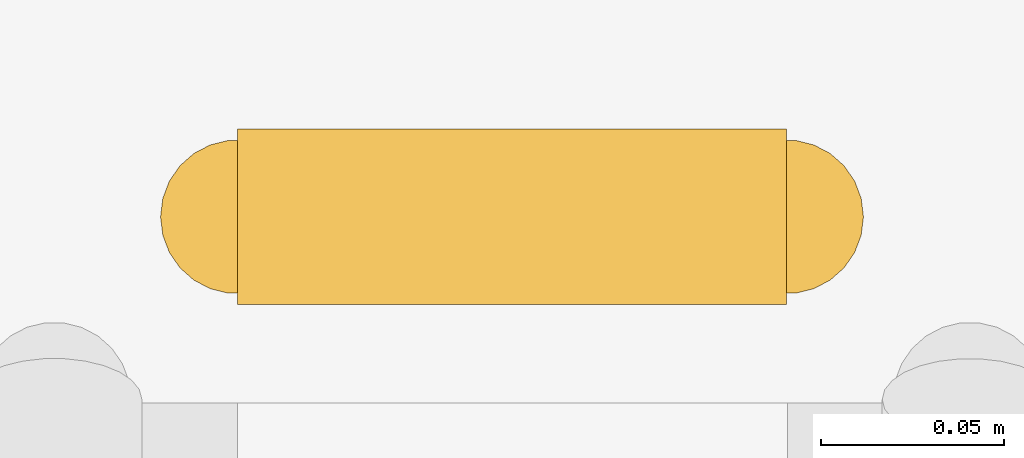
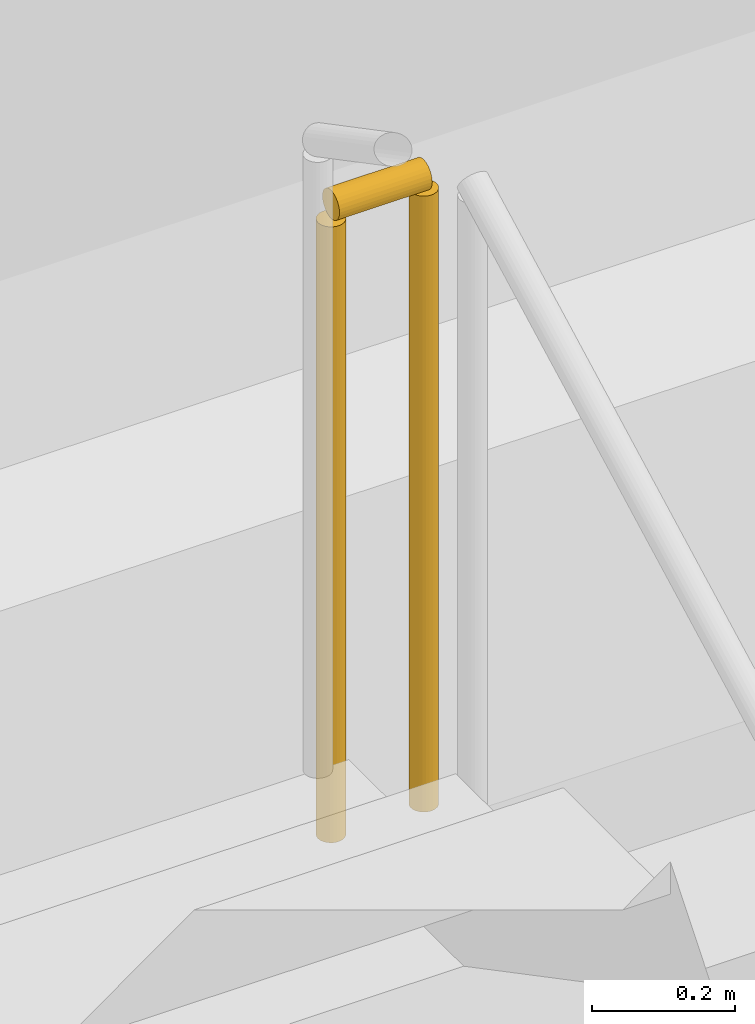
# One storey, part 164 of 198: 1 railing.
"""IFC4 building model written with IfcOpenShell, lengths in metres."""

from ifc_helpers import new_model, si_unit, direction, frame, origin, origin_2d, place, context, subcontext, project, spatial, circle, extrude, material, constituent, constituent_set, type_object, element, save


model = new_model("IFC4")

# Units and contexts
model_context = context("Model", 3, precision=1e-05, world=origin(), true_north=direction((0.0, 1.0)))
body_context = subcontext(model_context, "Body", "Model", "MODEL_VIEW")
ifc_project = project(units=[si_unit("LENGTHUNIT", "METRE"), si_unit("AREAUNIT", "SQUARE_METRE"), si_unit("VOLUMEUNIT", "CUBIC_METRE"), si_unit("PLANEANGLEUNIT", "RADIAN"), si_unit("MASSUNIT", "GRAM", prefix="KILO")], contexts=[model_context])

# Site, building, storey
site_placement = place(None, origin())
site = spatial("IfcSite", under=ifc_project, at=site_placement, CompositionType="ELEMENT")
building_placement = place(site_placement, origin())
building = spatial("IfcBuilding", under=site, at=building_placement, Name="Opaline Strait Convention Centre", CompositionType="ELEMENT")
storey_placement = place(building_placement, origin())
storey = spatial("IfcBuildingStorey", under=building, at=storey_placement, Name="L00", CompositionType="ELEMENT", Elevation=0.0)

# Railing
ifc_material_1 = material(Name="Steel Q235B", Category="steel")
ifc_constituent_1 = constituent(ifc_material_1, Name="Frame")
ifc_material_2 = material(Name="Safety glass, bonded interlayer", Category="glass")
ifc_constituent_2 = constituent(ifc_material_2, Name="Infill")
ifc_constituent_set = constituent_set(constituents=[ifc_constituent_1, ifc_constituent_2], Name="Steel Q235B, Safety glass, bonded interlayer")
railing_type = type_object("IfcRailingType", Name="Stair guard 1100 steel and glass", PredefinedType="GUARDRAIL", material=ifc_constituent_set)
railing_placement = place(storey_placement, frame((200.14990234375, 70.39990234375, 3.0)))
element("IfcRailing", 1, at=railing_placement, inside=storey, type_object=railing_type, Name="L00 XST3 stair guard 2", PredefinedType="GUARDRAIL", context=body_context, shape_type="SweptSolid", body=[
    extrude(circle(Radius=0.02392578125, at=origin_2d()), frame((0.0, 0.0, 1.076171875), z_axis=(-1.0, 0.0, 0.0), x_axis=(0.0, -1.0, 0.0)), (0.0, 0.0, 1.0), 0.14990234375),
    extrude(circle(Radius=0.02099609375, at=origin_2d()), origin(), (0.0, 0.0, 1.0), 1.052001953125),
    extrude(circle(Radius=0.02099609375, at=origin_2d()), frame((-0.14990234375, 0.0, 0.0)), (0.0, 0.0, 1.0), 1.052001953125),
])

save(model, "model.ifc")
